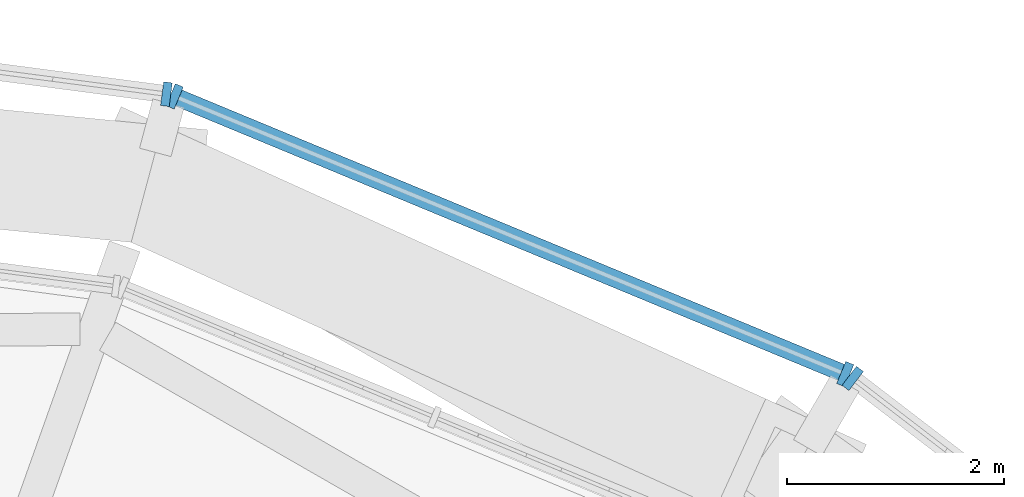
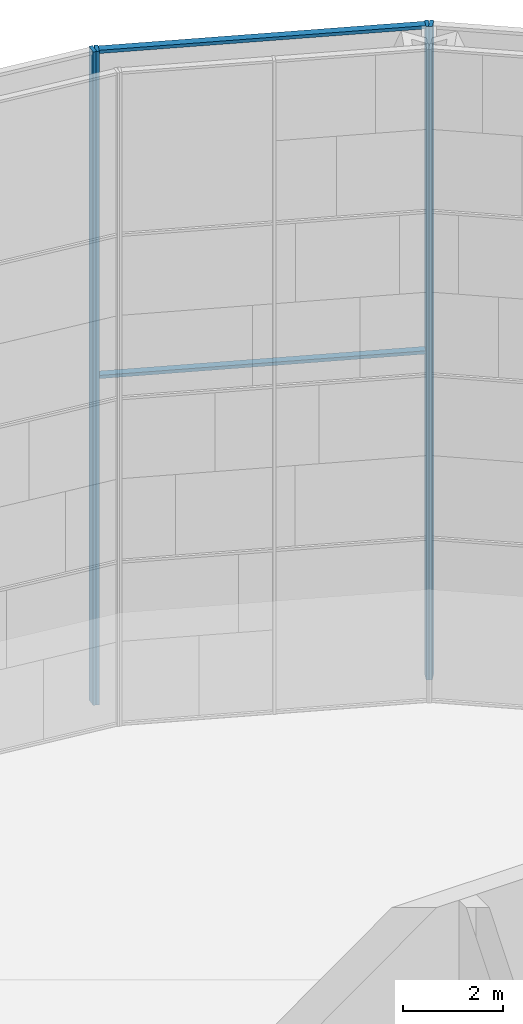
# One storey, part 12 of 30: 6 members, 3 elements without a shape of their own.
"""IFC4 building model written with IfcOpenShell, lengths in metres."""

from ifc_helpers import new_model, si_unit, direction, frame, origin, origin_2d, place, context, subcontext, project, spatial, rectangle, extrude, material, material_profile, profile_set, type_object, element, aggregate, save


model = new_model("IFC4")

# Units and contexts
model_context = context("Model", 3, precision=1e-05, world=origin(), true_north=direction((0.0, 1.0)))
body_context = subcontext(model_context, "Body", "Model", "MODEL_VIEW")
ifc_project = project(units=[si_unit("LENGTHUNIT", "METRE"), si_unit("AREAUNIT", "SQUARE_METRE"), si_unit("VOLUMEUNIT", "CUBIC_METRE"), si_unit("PLANEANGLEUNIT", "RADIAN"), si_unit("MASSUNIT", "GRAM", prefix="KILO")], contexts=[model_context])

# Site, building, storey
site_placement = place(None, origin())
site = spatial("IfcSite", under=ifc_project, at=site_placement, CompositionType="ELEMENT")
building_placement = place(site_placement, origin())
building = spatial("IfcBuilding", under=site, at=building_placement, Name="Golbaran Civic Tower", CompositionType="ELEMENT")
storey_placement = place(building_placement, frame((0.0, 0.0, 167.0)))
storey = spatial("IfcBuildingStorey", under=building, at=storey_placement, Name="L40", CompositionType="ELEMENT", Elevation=167.0)

# Curtain wall, member
ifc_material_1 = material(Name="Aluminium and glass", Category="aluminium")
curtain_wall_type = type_object("IfcCurtainWallType", Name="OUTER SKIN TERRACOTTA SCREEN", PredefinedType="NOTDEFINED", material=ifc_material_1)
curtain_wall_1_placement = place(storey_placement, origin())
curtain_wall_1 = element("IfcCurtainWall", 1, at=curtain_wall_1_placement, inside=storey, type_object=curtain_wall_type, Name="Outer skin L40 facet 4 CW3", ObjectType="OUTER SKIN", PredefinedType="USERDEFINED")
ifc_material_2 = material(Name="Aluminium", Category="aluminium")
ifc_material_profile_1 = material_profile(ifc_material_2, rectangle(XDim=0.219970703125, YDim=0.080078125, at=origin_2d()), Name="OUTER SKIN TERRACOTTA SCREEN MULLION")
ifc_profile_set_1 = profile_set([ifc_material_profile_1], Name="Aluminium")
member_type_1 = type_object("IfcMemberType", Name="OUTER SKIN TERRACOTTA SCREEN MULLION", PredefinedType="MULLION", material=ifc_profile_set_1)
member_1_placement = place(storey_placement, frame((12.98828125, 22.4169921875, -0.7099609375), z_axis=(0.0, 0.0, 1.0), x_axis=(-0.608761428967, -0.793353340323, 0.0)))
member_1 = element("IfcMember", 2, at=member_1_placement, type_object=member_type_1, Name="CW3 mullion 2", PredefinedType="MULLION", context=body_context, shape_type="SweptSolid", body=[
    extrude(rectangle(XDim=0.219970703125, YDim=0.080078125, at=origin_2d()), origin(), (0.0, 0.0, 1.0), 16.0),
])
aggregate(curtain_wall_1, [member_1])

# Curtain wall, members
curtain_wall_2_placement = place(storey_placement, origin())
curtain_wall_2 = element("IfcCurtainWall", 3, at=curtain_wall_2_placement, inside=storey, type_object=curtain_wall_type, Name="Outer skin L40 facet 5 CW3", ObjectType="OUTER SKIN", PredefinedType="USERDEFINED")
member_2_placement = place(storey_placement, frame((12.91943359375, 22.45654296875, -0.7099609375), z_axis=(0.0, 0.0, 1.0), x_axis=(-0.382683432462, -0.923879532471, 0.0)))
member_2 = element("IfcMember", 4, at=member_2_placement, type_object=member_type_1, Name="CW3 mullion 1", PredefinedType="MULLION", context=body_context, shape_type="SweptSolid", body=[
    extrude(rectangle(XDim=0.219970703125, YDim=0.080078125, at=origin_2d()), origin(), (0.0, 0.0, 1.0), 16.0),
])
member_3_placement = place(storey_placement, frame((6.74365234375, 25.0146484375, -0.7099609375), z_axis=(0.0, 0.0, 1.0), x_axis=(-0.382683432462, -0.923879532471, 0.0)))
member_3 = element("IfcMember", 5, at=member_3_placement, type_object=member_type_1, Name="CW3 mullion 2", PredefinedType="MULLION", context=body_context, shape_type="SweptSolid", body=[
    extrude(rectangle(XDim=0.219970703125, YDim=0.080078125, at=origin_2d()), origin(), (0.0, 0.0, 1.0), 16.0),
])

# Curtain wall, member
curtain_wall_3_placement = place(storey_placement, origin())
curtain_wall_3 = element("IfcCurtainWall", 6, at=curtain_wall_3_placement, inside=storey, type_object=curtain_wall_type, Name="Outer skin L40 facet 6 CW3", ObjectType="OUTER SKIN", PredefinedType="USERDEFINED")
member_4_placement = place(storey_placement, frame((6.667236328125, 25.03515625, -0.7099609375), z_axis=(0.0, 0.0, 1.0), x_axis=(-0.130526192168, -0.991444861381, 0.0)))
member_4 = element("IfcMember", 7, at=member_4_placement, type_object=member_type_1, Name="CW3 mullion 1", PredefinedType="MULLION", context=body_context, shape_type="SweptSolid", body=[
    extrude(rectangle(XDim=0.219970703125, YDim=0.080078125, at=origin_2d()), origin(), (0.0, 0.0, 1.0), 16.0),
])
aggregate(curtain_wall_3, [member_4])

# Member
ifc_material_profile_2 = material_profile(ifc_material_2, rectangle(XDim=0.159912109375, YDim=0.080078125, at=origin_2d()), Name="OUTER SKIN TERRACOTTA SCREEN TRANSOM")
ifc_profile_set_2 = profile_set([ifc_material_profile_2], Name="Aluminium")
member_type_2 = type_object("IfcMemberType", Name="OUTER SKIN TERRACOTTA SCREEN TRANSOM", PredefinedType="USERDEFINED", material=ifc_profile_set_2)
member_5_placement = place(storey_placement, frame((12.882568359375, 22.471923828125, 7.2900390625), z_axis=(-0.923872207905, 0.38270111505, 0.0), x_axis=(-0.38270111505, -0.923872207905, 0.0)))
member_5 = element("IfcMember", 8, at=member_5_placement, type_object=member_type_2, Name="CW3 transom 1.2", ObjectType="TRANSOM", PredefinedType="USERDEFINED", context=body_context, shape_type="SweptSolid", body=[
    extrude(rectangle(XDim=0.159912109375, YDim=0.080078125, at=origin_2d()), origin(), (0.0, 0.0, 1.0), 6.6044921875),
])

member_6_placement = place(storey_placement, frame((12.882568359375, 22.471923828125, 15.25), z_axis=(-0.923872207905, 0.38270111505, 0.0), x_axis=(-0.38270111505, -0.923872207905, 0.0)))
member_6 = element("IfcMember", 9, at=member_6_placement, type_object=member_type_2, Name="CW3 transom 1.3", ObjectType="TRANSOM", PredefinedType="USERDEFINED", context=body_context, shape_type="SweptSolid", body=[
    extrude(rectangle(XDim=0.159912109375, YDim=0.080078125, at=origin_2d()), origin(), (0.0, 0.0, 1.0), 6.6044921875),
])

aggregate(curtain_wall_2, [member_2, member_3, member_5, member_6])

save(model, "model.ifc")
